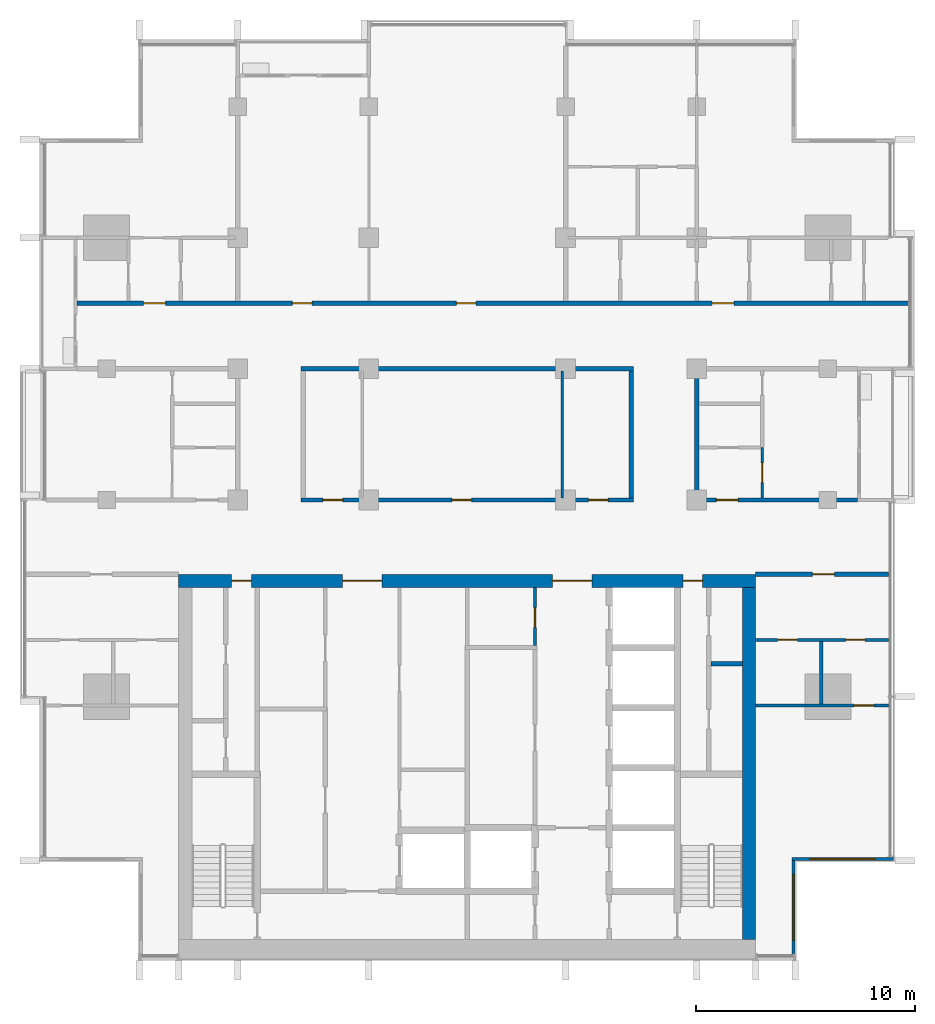
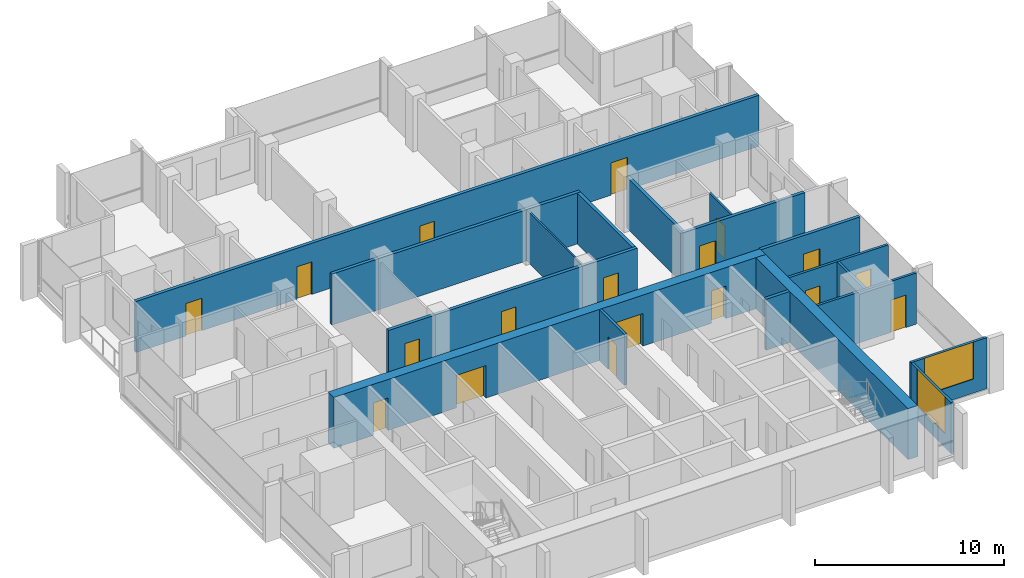
# One storey, part 9 of 16: 18 doors, 18 walls, 2 windows, 20 openings.
"""IFC4 building model written with IfcOpenShell, lengths in metres."""

from ifc_helpers import new_model, si_unit, direction, frame, frame_2d, origin, place, context, subcontext, project, spatial, rectangle, extrude, material, layer, layer_set, type_object, element, fill, save


model = new_model("IFC4")

# Units and contexts
model_context = context("Model", 3, precision=1e-05, world=origin(), true_north=direction((0.0, 1.0)))
body_context = subcontext(model_context, "Body", "Model", "MODEL_VIEW")
ifc_project = project(units=[si_unit("LENGTHUNIT", "METRE"), si_unit("AREAUNIT", "SQUARE_METRE"), si_unit("VOLUMEUNIT", "CUBIC_METRE"), si_unit("PLANEANGLEUNIT", "RADIAN"), si_unit("MASSUNIT", "GRAM", prefix="KILO")], contexts=[model_context])

# Site, building, storey
site_placement = place(None, origin())
site = spatial("IfcSite", under=ifc_project, at=site_placement, CompositionType="ELEMENT")
building_placement = place(site_placement, origin())
building = spatial("IfcBuilding", under=site, at=building_placement, Name="Finial Court Residences", CompositionType="ELEMENT")
storey_placement = place(building_placement, frame((0.0, 0.0, 208.699951171875)))
storey = spatial("IfcBuildingStorey", under=building, at=storey_placement, Name="L52", CompositionType="ELEMENT", Elevation=208.699951171875)

# Wall, openings, doors
ifc_material_1 = material(Name="Concrete C60/75", Category="concrete")
ifc_layer_1 = layer(ifc_material_1, 0.60009765625)
ifc_layer_set_1 = layer_set([ifc_layer_1], Name="Core outer wall 600 Concrete C60/75")
wall_type_1 = type_object("IfcWallType", Name="Core outer wall 600 Concrete C60/75", PredefinedType="SHEAR", material=ifc_layer_set_1)
wall_1_placement = place(storey_placement, frame((-13.199951171875, -8.199951171875, 0.0), z_axis=(0.0, 0.0, 1.0), x_axis=(1.0, 0.0, 0.0)))
wall_1 = element("IfcWall", 1, at=wall_1_placement, inside=storey, type_object=wall_type_1, Name="Core outer wall L52-02", PredefinedType="SHEAR", context=body_context, shape_type="SweptSolid", body=[
    extrude(rectangle(XDim=26.39990234375, YDim=0.60009765625, at=frame_2d((13.199951171875, 0.0))), origin(), (0.0, 0.0, 1.0), 3.300048828125),
])
opening_1_placement = place(wall_1_placement, frame((7.5, 0.0, 0.0)))
opening_1 = element("IfcOpeningElement", 2, at=opening_1_placement, cuts=wall_1, Name="Opening L52-C04", PredefinedType="OPENING", context=body_context, shape_type="SweptSolid", body=[
    extrude(rectangle(XDim=1.800048828125, YDim=2.10009765625, at=frame_2d((0.89990234375, 1.050048828125))), frame((0.0, 0.31005859375, 0.0), z_axis=(0.0, -1.0, 0.0), x_axis=(1.0, 0.0, 0.0)), (0.0, 0.0, 1.0), 0.6201171875),
])
opening_2_placement = place(wall_1_placement, frame((17.10009765625, 0.0, 0.0)))
opening_2 = element("IfcOpeningElement", 3, at=opening_2_placement, cuts=wall_1, Name="Opening L52-C05", PredefinedType="OPENING", context=body_context, shape_type="SweptSolid", body=[
    extrude(rectangle(XDim=1.800048828125, YDim=2.10009765625, at=frame_2d((0.89990234375, 1.050048828125))), frame((0.0, 0.31005859375, 0.0), z_axis=(0.0, -1.0, 0.0), x_axis=(1.0, 0.0, 0.0)), (0.0, 0.0, 1.0), 0.6201171875),
])
opening_3_placement = place(wall_1_placement, frame((2.425048828125, 0.0, 0.0)))
opening_3 = element("IfcOpeningElement", 4, at=opening_3_placement, cuts=wall_1, Name="Opening L52-C11", PredefinedType="OPENING", context=body_context, shape_type="SweptSolid", body=[
    extrude(rectangle(XDim=0.89990234375, YDim=2.10009765625, at=frame_2d((0.449951171875, 1.050048828125))), frame((0.0, 0.31005859375, 0.0), z_axis=(0.0, -1.0, 0.0), x_axis=(1.0, 0.0, 0.0)), (0.0, 0.0, 1.0), 0.6201171875),
])
opening_4_placement = place(wall_1_placement, frame((23.074951171875, 0.0, 0.0)))
opening_4 = element("IfcOpeningElement", 5, at=opening_4_placement, cuts=wall_1, Name="Opening L52-C12", PredefinedType="OPENING", context=body_context, shape_type="SweptSolid", body=[
    extrude(rectangle(XDim=0.89990234375, YDim=2.10009765625, at=frame_2d((0.449951171875, 1.050048828125))), frame((0.0, 0.31005859375, 0.0), z_axis=(0.0, -1.0, 0.0), x_axis=(1.0, 0.0, 0.0)), (0.0, 0.0, 1.0), 0.6201171875),
])
ifc_material_2 = material(Name="Steel fire door", Category="steel")
door_type_1 = type_object("IfcDoorType", Name="Lift lobby door 1800 x 2100 EI 60", OperationType="DOUBLE_DOOR_SINGLE_SWING", PredefinedType="DOOR", material=ifc_material_2)
door_1_placement = place(opening_1_placement, origin())
door_1 = element("IfcDoor", 6, at=door_1_placement, inside=storey, type_object=door_type_1, Name="Lift lobby door L52-C04", OperationType="DOUBLE_DOOR_SINGLE_SWING", OverallHeight=2.10009765625, OverallWidth=1.800048828125, PredefinedType="DOOR", context=body_context, shape_type="SweptSolid", body=[
    extrude(rectangle(XDim=1.800048828125, YDim=2.10009765625, at=frame_2d((0.89990234375, 1.050048828125))), frame((0.0, 0.02490234375, 0.0), z_axis=(0.0, -1.0, 0.0), x_axis=(1.0, 0.0, 0.0)), (0.0, 0.0, 1.0), 0.050048828125),
])
fill(opening_1, door_1)
door_2_placement = place(opening_2_placement, origin())
door_2 = element("IfcDoor", 7, at=door_2_placement, inside=storey, type_object=door_type_1, Name="Lift lobby door L52-C05", OperationType="DOUBLE_DOOR_SINGLE_SWING", OverallHeight=2.10009765625, OverallWidth=1.800048828125, PredefinedType="DOOR", context=body_context, shape_type="SweptSolid", body=[
    extrude(rectangle(XDim=1.800048828125, YDim=2.10009765625, at=frame_2d((0.89990234375, 1.050048828125))), frame((0.0, 0.02490234375, 0.0), z_axis=(0.0, -1.0, 0.0), x_axis=(1.0, 0.0, 0.0)), (0.0, 0.0, 1.0), 0.050048828125),
])
fill(opening_2, door_2)
door_type_2 = type_object("IfcDoorType", Name="Riser room door 900 x 2100 EI 90", OperationType="NOTDEFINED", PredefinedType="DOOR", material=ifc_material_2)
door_3_placement = place(opening_3_placement, origin())
door_3 = element("IfcDoor", 8, at=door_3_placement, inside=storey, type_object=door_type_2, Name="Riser room door L52-C11", OperationType="SINGLE_SWING_RIGHT", OverallHeight=2.10009765625, OverallWidth=0.89990234375, PredefinedType="DOOR", context=body_context, shape_type="SweptSolid", body=[
    extrude(rectangle(XDim=0.89990234375, YDim=2.10009765625, at=frame_2d((0.449951171875, 1.050048828125))), frame((0.0, 0.02490234375, 0.0), z_axis=(0.0, -1.0, 0.0), x_axis=(1.0, 0.0, 0.0)), (0.0, 0.0, 1.0), 0.050048828125),
])
fill(opening_3, door_3)
door_4_placement = place(opening_4_placement, origin())
door_4 = element("IfcDoor", 9, at=door_4_placement, inside=storey, type_object=door_type_2, Name="Riser room door L52-C12", OperationType="SINGLE_SWING_LEFT", OverallHeight=2.10009765625, OverallWidth=0.89990234375, PredefinedType="DOOR", context=body_context, shape_type="SweptSolid", body=[
    extrude(rectangle(XDim=0.89990234375, YDim=2.10009765625, at=frame_2d((0.449951171875, 1.050048828125))), frame((0.0, 0.02490234375, 0.0), z_axis=(0.0, -1.0, 0.0), x_axis=(1.0, 0.0, 0.0)), (0.0, 0.0, 1.0), 0.050048828125),
])
fill(opening_4, door_4)

# Wall
wall_2_placement = place(storey_placement, frame((12.89990234375, -24.60009765625, 0.0), z_axis=(0.0, 0.0, 1.0), x_axis=(0.0, 1.0, 0.0)))
element("IfcWall", 10, at=wall_2_placement, inside=storey, type_object=wall_type_1, Name="Core outer wall L52-04", PredefinedType="SHEAR", context=body_context, shape_type="SweptSolid", body=[
    extrude(rectangle(XDim=16.10009765625, YDim=0.60009765625, at=frame_2d((8.050048828125, 0.0))), origin(), (0.0, 0.0, 1.0), 3.300048828125),
])

# Wall, opening, door
ifc_material_3 = material(Name="Fire-rated gypsum board partition")
ifc_layer_2 = layer(ifc_material_3, 0.14990234375)
ifc_layer_set_2 = layer_set([ifc_layer_2], Name="Core room partition 150 EI 60")
wall_type_2 = type_object("IfcWallType", Name="Core room partition 150 EI 60", PredefinedType="PARTITIONING", material=ifc_layer_set_2)
wall_3_placement = place(storey_placement, frame((3.10009765625, -11.14990234375, 0.0), z_axis=(0.0, 0.0, 1.0), x_axis=(0.0, 1.0, 0.0)))
wall_3 = element("IfcWall", 11, at=wall_3_placement, inside=storey, type_object=wall_type_2, Name="Core partition L52-35", PredefinedType="PARTITIONING", context=body_context, shape_type="SweptSolid", body=[
    extrude(rectangle(XDim=2.64990234375, YDim=0.14990234375, at=frame_2d((1.324951171875, 0.0))), origin(), (0.0, 0.0, 1.0), 3.300048828125),
])
opening_5_placement = place(wall_3_placement, frame((0.824951171875, 0.0, 0.0)))
opening_5 = element("IfcOpeningElement", 12, at=opening_5_placement, cuts=wall_3, Name="Opening L52-C18", PredefinedType="OPENING", context=body_context, shape_type="SweptSolid", body=[
    extrude(rectangle(XDim=0.89990234375, YDim=2.10009765625, at=frame_2d((0.449951171875, 1.050048828125))), frame((0.0, 0.0849609375, 0.0), z_axis=(0.0, -1.0, 0.0), x_axis=(1.0, 0.0, 0.0)), (0.0, 0.0, 1.0), 0.169921875),
])
door_type_3 = type_object("IfcDoorType", Name="Core room door 900 x 2100 EI 60", OperationType="NOTDEFINED", PredefinedType="DOOR", material=ifc_material_2)
door_5_placement = place(opening_5_placement, origin())
door_5 = element("IfcDoor", 13, at=door_5_placement, inside=storey, type_object=door_type_3, Name="Core room door L52-C18", OperationType="SINGLE_SWING_LEFT", OverallHeight=2.10009765625, OverallWidth=0.89990234375, PredefinedType="DOOR", context=body_context, shape_type="SweptSolid", body=[
    extrude(rectangle(XDim=0.89990234375, YDim=2.10009765625, at=frame_2d((0.449951171875, 1.050048828125))), frame((0.0, 0.02490234375, 0.0), z_axis=(0.0, -1.0, 0.0), x_axis=(1.0, 0.0, 0.0)), (0.0, 0.0, 1.0), 0.050048828125),
])
fill(opening_5, door_5)

ifc_material_4 = material(Name="Gypsum board")
ifc_layer_3 = layer(ifc_material_4, 0.02490234375)
ifc_material_5 = material(Name="Acoustic mineral wool in double frame")
ifc_layer_4 = layer(ifc_material_5, 0.14990234375)
ifc_layer_5 = layer(ifc_material_4, 0.02490234375)
ifc_layer_set_3 = layer_set([ifc_layer_3, ifc_layer_4, ifc_layer_5], Name="Corridor wall 200, 1 hour")
wall_type_3 = type_object("IfcWallType", Name="Corridor wall 200, 1 hour", PredefinedType="PARTITIONING", material=ifc_layer_set_3)
wall_4_placement = place(storey_placement, frame((13.199951171875, -7.89990234375, 0.0), z_axis=(0.0, 0.0, 1.0), x_axis=(1.0, 0.0, 0.0)))
wall_4 = element("IfcWall", 14, at=wall_4_placement, inside=storey, type_object=wall_type_3, Name="Partition L52-005", PredefinedType="PARTITIONING", context=body_context, shape_type="SweptSolid", body=[
    extrude(rectangle(XDim=6.0625, YDim=0.199951171875, at=frame_2d((3.03125, 0.0))), origin(), (0.0, 0.0, 1.0), 3.300048828125),
])
opening_6_placement = place(wall_4_placement, frame((2.60009765625, 0.0, 0.0)))
opening_6 = element("IfcOpeningElement", 15, at=opening_6_placement, cuts=wall_4, Name="Opening L52-D008", PredefinedType="OPENING", context=body_context, shape_type="SweptSolid", body=[
    extrude(rectangle(XDim=1.0, YDim=2.10009765625, at=frame_2d((0.5, 1.050048828125))), frame((0.0, 0.10986328125, 0.0), z_axis=(0.0, -1.0, 0.0), x_axis=(1.0, 0.0, 0.0)), (0.0, 0.0, 1.0), 0.219970703125),
])
ifc_material_6 = material(Name="Timber door leaf in hollow metal frame", Category="wood")
door_type_4 = type_object("IfcDoorType", Name="Fire door set 1000 x 2100, 30 minutes", OperationType="SINGLE_SWING_LEFT", PredefinedType="DOOR", material=ifc_material_6)
door_6_placement = place(opening_6_placement, origin())
door_6 = element("IfcDoor", 16, at=door_6_placement, inside=storey, type_object=door_type_4, Name="Door L52-D008", OperationType="SINGLE_SWING_RIGHT", OverallHeight=2.10009765625, OverallWidth=1.0, PredefinedType="DOOR", context=body_context, shape_type="SweptSolid", body=[
    extrude(rectangle(XDim=1.0, YDim=2.10009765625, at=frame_2d((0.5, 1.050048828125))), frame((0.0, 0.02490234375, 0.0), z_axis=(0.0, -1.0, 0.0), x_axis=(1.0, 0.0, 0.0)), (0.0, 0.0, 1.0), 0.050048828125),
])
fill(opening_6, door_6)

# Wall, openings, doors
wall_5_placement = place(storey_placement, frame((-7.60009765625, -4.5, 0.0), z_axis=(0.0, 0.0, 1.0), x_axis=(1.0, 0.0, 0.0)))
wall_5 = element("IfcWall", 17, at=wall_5_placement, inside=storey, type_object=wall_type_3, Name="Partition L52-007", PredefinedType="PARTITIONING", context=body_context, shape_type="SweptSolid", body=[
    extrude(rectangle(XDim=15.2001953125, YDim=0.199951171875, at=frame_2d((7.60009765625, 0.0))), origin(), (0.0, 0.0, 1.0), 3.300048828125),
])
opening_7_placement = place(wall_5_placement, frame((1.0, 0.0, 0.0)))
opening_7 = element("IfcOpeningElement", 18, at=opening_7_placement, cuts=wall_5, Name="Opening L52-D010", PredefinedType="OPENING", context=body_context, shape_type="SweptSolid", body=[
    extrude(rectangle(XDim=0.89990234375, YDim=2.10009765625, at=frame_2d((0.449951171875, 1.050048828125))), frame((0.0, 0.10986328125, 0.0), z_axis=(0.0, -1.0, 0.0), x_axis=(1.0, 0.0, 0.0)), (0.0, 0.0, 1.0), 0.219970703125),
])
opening_8_placement = place(wall_5_placement, frame((6.89990234375, 0.0, 0.0)))
opening_8 = element("IfcOpeningElement", 19, at=opening_8_placement, cuts=wall_5, Name="Opening L52-D011", PredefinedType="OPENING", context=body_context, shape_type="SweptSolid", body=[
    extrude(rectangle(XDim=0.89990234375, YDim=2.10009765625, at=frame_2d((0.449951171875, 1.050048828125))), frame((0.0, 0.10986328125, 0.0), z_axis=(0.0, -1.0, 0.0), x_axis=(1.0, 0.0, 0.0)), (0.0, 0.0, 1.0), 0.219970703125),
])
opening_9_placement = place(wall_5_placement, frame((13.14990234375, 0.0, 0.0)))
opening_9 = element("IfcOpeningElement", 20, at=opening_9_placement, cuts=wall_5, Name="Opening L52-D012", PredefinedType="OPENING", context=body_context, shape_type="SweptSolid", body=[
    extrude(rectangle(XDim=0.89990234375, YDim=2.10009765625, at=frame_2d((0.449951171875, 1.050048828125))), frame((0.0, 0.10986328125, 0.0), z_axis=(0.0, -1.0, 0.0), x_axis=(1.0, 0.0, 0.0)), (0.0, 0.0, 1.0), 0.219970703125),
])
door_type_5 = type_object("IfcDoorType", Name="Fire door set 900 x 2100, 30 minutes", OperationType="SINGLE_SWING_LEFT", PredefinedType="DOOR", material=ifc_material_6)
door_7_placement = place(opening_7_placement, origin())
door_7 = element("IfcDoor", 21, at=door_7_placement, inside=storey, type_object=door_type_5, Name="Door L52-D010", OperationType="SINGLE_SWING_RIGHT", OverallHeight=2.10009765625, OverallWidth=0.89990234375, PredefinedType="DOOR", context=body_context, shape_type="SweptSolid", body=[
    extrude(rectangle(XDim=0.89990234375, YDim=2.10009765625, at=frame_2d((0.449951171875, 1.050048828125))), frame((0.0, 0.02490234375, 0.0), z_axis=(0.0, -1.0, 0.0), x_axis=(1.0, 0.0, 0.0)), (0.0, 0.0, 1.0), 0.050048828125),
])
fill(opening_7, door_7)
door_8_placement = place(opening_8_placement, origin())
door_8 = element("IfcDoor", 22, at=door_8_placement, inside=storey, type_object=door_type_5, Name="Door L52-D011", OperationType="SINGLE_SWING_RIGHT", OverallHeight=2.10009765625, OverallWidth=0.89990234375, PredefinedType="DOOR", context=body_context, shape_type="SweptSolid", body=[
    extrude(rectangle(XDim=0.89990234375, YDim=2.10009765625, at=frame_2d((0.449951171875, 1.050048828125))), frame((0.0, 0.02490234375, 0.0), z_axis=(0.0, -1.0, 0.0), x_axis=(1.0, 0.0, 0.0)), (0.0, 0.0, 1.0), 0.050048828125),
])
fill(opening_8, door_8)
door_9_placement = place(opening_9_placement, origin())
door_9 = element("IfcDoor", 23, at=door_9_placement, inside=storey, type_object=door_type_5, Name="Door L52-D012", OperationType="SINGLE_SWING_LEFT", OverallHeight=2.10009765625, OverallWidth=0.89990234375, PredefinedType="DOOR", context=body_context, shape_type="SweptSolid", body=[
    extrude(rectangle(XDim=0.89990234375, YDim=2.10009765625, at=frame_2d((0.449951171875, 1.050048828125))), frame((0.0, 0.02490234375, 0.0), z_axis=(0.0, -1.0, 0.0), x_axis=(1.0, 0.0, 0.0)), (0.0, 0.0, 1.0), 0.050048828125),
])
fill(opening_9, door_9)

# Wall, opening, door
wall_6_placement = place(storey_placement, frame((10.39990234375, -4.5, 0.0), z_axis=(0.0, 0.0, 1.0), x_axis=(1.0, 0.0, 0.0)))
wall_6 = element("IfcWall", 24, at=wall_6_placement, inside=storey, type_object=wall_type_3, Name="Partition L52-008", PredefinedType="PARTITIONING", context=body_context, shape_type="SweptSolid", body=[
    extrude(rectangle(XDim=7.4501953125, YDim=0.199951171875, at=frame_2d((3.72509765625, 0.0))), origin(), (0.0, 0.0, 1.0), 3.300048828125),
])
opening_10_placement = place(wall_6_placement, frame((1.0, 0.0, 0.0)))
opening_10 = element("IfcOpeningElement", 25, at=opening_10_placement, cuts=wall_6, Name="Opening L52-D013", PredefinedType="OPENING", context=body_context, shape_type="SweptSolid", body=[
    extrude(rectangle(XDim=1.0, YDim=2.10009765625, at=frame_2d((0.5, 1.050048828125))), frame((0.0, 0.10986328125, 0.0), z_axis=(0.0, -1.0, 0.0), x_axis=(1.0, 0.0, 0.0)), (0.0, 0.0, 1.0), 0.219970703125),
])
door_10_placement = place(opening_10_placement, origin())
door_10 = element("IfcDoor", 26, at=door_10_placement, inside=storey, type_object=door_type_4, Name="Door L52-D013", OperationType="SINGLE_SWING_RIGHT", OverallHeight=2.10009765625, OverallWidth=1.0, PredefinedType="DOOR", context=body_context, shape_type="SweptSolid", body=[
    extrude(rectangle(XDim=1.0, YDim=2.10009765625, at=frame_2d((0.5, 1.050048828125))), frame((0.0, 0.02490234375, 0.0), z_axis=(0.0, -1.0, 0.0), x_axis=(1.0, 0.0, 0.0)), (0.0, 0.0, 1.0), 0.050048828125),
])
fill(opening_10, door_10)

# Wall
wall_7_placement = place(storey_placement, frame((-7.60009765625, 1.5, 0.0), z_axis=(0.0, 0.0, 1.0), x_axis=(1.0, 0.0, 0.0)))
element("IfcWall", 27, at=wall_7_placement, inside=storey, type_object=wall_type_3, Name="Partition L52-014", PredefinedType="PARTITIONING", context=body_context, shape_type="SweptSolid", body=[
    extrude(rectangle(XDim=15.2001953125, YDim=0.199951171875, at=frame_2d((7.60009765625, 0.0))), origin(), (0.0, 0.0, 1.0), 3.300048828125),
])

# Wall, openings, doors
wall_8_placement = place(storey_placement, frame((-17.85009765625, 4.5, 0.0), z_axis=(0.0, 0.0, 1.0), x_axis=(1.0, 0.0, 0.0)))
wall_8 = element("IfcWall", 28, at=wall_8_placement, inside=storey, type_object=wall_type_3, Name="Partition L52-016", PredefinedType="PARTITIONING", context=body_context, shape_type="SweptSolid", body=[
    extrude(rectangle(XDim=38.10009765625, YDim=0.199951171875, at=frame_2d((19.050048828125, 0.0))), origin(), (0.0, 0.0, 1.0), 3.300048828125),
])
opening_11_placement = place(wall_8_placement, frame((3.050048828125, 0.0, 0.0)))
opening_11 = element("IfcOpeningElement", 29, at=opening_11_placement, cuts=wall_8, Name="Opening L52-D016", PredefinedType="OPENING", context=body_context, shape_type="SweptSolid", body=[
    extrude(rectangle(XDim=1.0, YDim=2.10009765625, at=frame_2d((0.5, 1.050048828125))), frame((0.0, 0.10986328125, 0.0), z_axis=(0.0, -1.0, 0.0), x_axis=(1.0, 0.0, 0.0)), (0.0, 0.0, 1.0), 0.219970703125),
])
opening_12_placement = place(wall_8_placement, frame((9.85009765625, 0.0, 0.0)))
opening_12 = element("IfcOpeningElement", 30, at=opening_12_placement, cuts=wall_8, Name="Opening L52-D017", PredefinedType="OPENING", context=body_context, shape_type="SweptSolid", body=[
    extrude(rectangle(XDim=0.89990234375, YDim=2.10009765625, at=frame_2d((0.449951171875, 1.050048828125))), frame((0.0, 0.10986328125, 0.0), z_axis=(0.0, -1.0, 0.0), x_axis=(1.0, 0.0, 0.0)), (0.0, 0.0, 1.0), 0.219970703125),
])
opening_13_placement = place(wall_8_placement, frame((17.35009765625, 0.0, 0.0)))
opening_13 = element("IfcOpeningElement", 31, at=opening_13_placement, cuts=wall_8, Name="Opening L52-D018", PredefinedType="OPENING", context=body_context, shape_type="SweptSolid", body=[
    extrude(rectangle(XDim=0.89990234375, YDim=2.10009765625, at=frame_2d((0.449951171875, 1.050048828125))), frame((0.0, 0.10986328125, 0.0), z_axis=(0.0, -1.0, 0.0), x_axis=(1.0, 0.0, 0.0)), (0.0, 0.0, 1.0), 0.219970703125),
])
opening_14_placement = place(wall_8_placement, frame((29.050048828125, 0.0, 0.0)))
opening_14 = element("IfcOpeningElement", 32, at=opening_14_placement, cuts=wall_8, Name="Opening L52-D019", PredefinedType="OPENING", context=body_context, shape_type="SweptSolid", body=[
    extrude(rectangle(XDim=1.0, YDim=2.10009765625, at=frame_2d((0.5, 1.050048828125))), frame((0.0, 0.10986328125, 0.0), z_axis=(0.0, -1.0, 0.0), x_axis=(1.0, 0.0, 0.0)), (0.0, 0.0, 1.0), 0.219970703125),
])
door_11_placement = place(opening_11_placement, origin())
door_11 = element("IfcDoor", 33, at=door_11_placement, inside=storey, type_object=door_type_4, Name="Door L52-D016", OperationType="SINGLE_SWING_RIGHT", OverallHeight=2.10009765625, OverallWidth=1.0, PredefinedType="DOOR", context=body_context, shape_type="SweptSolid", body=[
    extrude(rectangle(XDim=1.0, YDim=2.10009765625, at=frame_2d((0.5, 1.050048828125))), frame((0.0, 0.02490234375, 0.0), z_axis=(0.0, -1.0, 0.0), x_axis=(1.0, 0.0, 0.0)), (0.0, 0.0, 1.0), 0.050048828125),
])
fill(opening_11, door_11)
door_12_placement = place(opening_14_placement, origin())
door_12 = element("IfcDoor", 34, at=door_12_placement, inside=storey, type_object=door_type_4, Name="Door L52-D019", OperationType="SINGLE_SWING_LEFT", OverallHeight=2.10009765625, OverallWidth=1.0, PredefinedType="DOOR", context=body_context, shape_type="SweptSolid", body=[
    extrude(rectangle(XDim=1.0, YDim=2.10009765625, at=frame_2d((0.5, 1.050048828125))), frame((0.0, 0.02490234375, 0.0), z_axis=(0.0, -1.0, 0.0), x_axis=(1.0, 0.0, 0.0)), (0.0, 0.0, 1.0), 0.050048828125),
])
fill(opening_14, door_12)
door_13_placement = place(opening_12_placement, origin())
door_13 = element("IfcDoor", 35, at=door_13_placement, inside=storey, type_object=door_type_5, Name="Door L52-D017", OperationType="SINGLE_SWING_RIGHT", OverallHeight=2.10009765625, OverallWidth=0.89990234375, PredefinedType="DOOR", context=body_context, shape_type="SweptSolid", body=[
    extrude(rectangle(XDim=0.89990234375, YDim=2.10009765625, at=frame_2d((0.449951171875, 1.050048828125))), frame((0.0, 0.02490234375, 0.0), z_axis=(0.0, -1.0, 0.0), x_axis=(1.0, 0.0, 0.0)), (0.0, 0.0, 1.0), 0.050048828125),
])
fill(opening_12, door_13)
door_14_placement = place(opening_13_placement, origin())
door_14 = element("IfcDoor", 36, at=door_14_placement, inside=storey, type_object=door_type_5, Name="Door L52-D018", OperationType="SINGLE_SWING_RIGHT", OverallHeight=2.10009765625, OverallWidth=0.89990234375, PredefinedType="DOOR", context=body_context, shape_type="SweptSolid", body=[
    extrude(rectangle(XDim=0.89990234375, YDim=2.10009765625, at=frame_2d((0.449951171875, 1.050048828125))), frame((0.0, 0.02490234375, 0.0), z_axis=(0.0, -1.0, 0.0), x_axis=(1.0, 0.0, 0.0)), (0.0, 0.0, 1.0), 0.050048828125),
])
fill(opening_13, door_14)

# Walls
for number, where, z_axis, x_axis, name in (
    (37, (7.5, -4.39990234375, 0.0), (0.0, 0.0, 1.0), (0.0, 1.0, 0.0), "Partition L52-039"),
    (38, (10.5, -4.39990234375, 0.0), (0.0, 0.0, 1.0), (0.0, 1.0, 0.0), "Partition L52-041"),
):
    element("IfcWall", number, at=place(storey_placement, frame(where, z_axis=z_axis, x_axis=x_axis)), inside=storey, type_object=wall_type_3, Name=name, PredefinedType="PARTITIONING", context=body_context, shape_type="SweptSolid", body=[
        extrude(rectangle(XDim=5.7998046875, YDim=0.199951171875, at=frame_2d((2.89990234375, 0.0))), origin(), (0.0, 0.0, 1.0), 3.300048828125),
    ])
ifc_layer_6 = layer(ifc_material_4, 0.012451171875)
ifc_material_7 = material(Name="Mineral wool in light-gauge frame")
ifc_layer_7 = layer(ifc_material_7, 0.074951171875)
ifc_layer_8 = layer(ifc_material_4, 0.012451171875)
ifc_layer_set_4 = layer_set([ifc_layer_6, ifc_layer_7, ifc_layer_8], Name="Gypsum board partition 100")
wall_type_4 = type_object("IfcWallType", Name="Gypsum board partition 100", PredefinedType="PARTITIONING", material=ifc_layer_set_4)
wall_9_placement = place(storey_placement, frame((4.35009765625, -4.39990234375, 0.0), z_axis=(0.0, 0.0, 1.0), x_axis=(0.0, 1.0, 0.0)))
element("IfcWall", 39, at=wall_9_placement, inside=storey, type_object=wall_type_4, Name="Partition L52-036", PredefinedType="PARTITIONING", context=body_context, shape_type="SweptSolid", body=[
    extrude(rectangle(XDim=5.7998046875, YDim=0.10009765625, at=frame_2d((2.89990234375, 0.0))), origin(), (0.0, 0.0, 1.0), 3.300048828125),
])

# Wall, opening, door
wall_10_placement = place(storey_placement, frame((13.5, -4.39990234375, 0.0), z_axis=(0.0, 0.0, 1.0), x_axis=(0.0, 1.0, 0.0)))
wall_10 = element("IfcWall", 40, at=wall_10_placement, inside=storey, type_object=wall_type_4, Name="Partition L52-046", PredefinedType="PARTITIONING", context=body_context, shape_type="SweptSolid", body=[
    extrude(rectangle(XDim=2.2998046875, YDim=0.10009765625, at=frame_2d((1.14990234375, 0.0))), origin(), (0.0, 0.0, 1.0), 3.300048828125),
])
opening_15_placement = place(wall_10_placement, frame((0.699951171875, 0.0, 0.0)))
opening_15 = element("IfcOpeningElement", 41, at=opening_15_placement, cuts=wall_10, Name="Opening L52-D032", PredefinedType="OPENING", context=body_context, shape_type="SweptSolid", body=[
    extrude(rectangle(XDim=0.89990234375, YDim=2.10009765625, at=frame_2d((0.449951171875, 1.050048828125))), frame((0.0, 0.06005859375, 0.0), z_axis=(0.0, -1.0, 0.0), x_axis=(1.0, 0.0, 0.0)), (0.0, 0.0, 1.0), 0.1201171875),
])
ifc_material_8 = material(Name="Timber door leaf in timber frame", Category="wood")
door_type_6 = type_object("IfcDoorType", Name="Door set 900 x 2100", OperationType="SINGLE_SWING_LEFT", PredefinedType="DOOR", material=ifc_material_8)
door_15_placement = place(opening_15_placement, origin())
door_15 = element("IfcDoor", 42, at=door_15_placement, inside=storey, type_object=door_type_6, Name="Door L52-D032", OperationType="SINGLE_SWING_RIGHT", OverallHeight=2.10009765625, OverallWidth=0.89990234375, PredefinedType="DOOR", context=body_context, shape_type="SweptSolid", body=[
    extrude(rectangle(XDim=0.89990234375, YDim=2.10009765625, at=frame_2d((0.449951171875, 1.050048828125))), frame((0.0, 0.02490234375, 0.0), z_axis=(0.0, -1.0, 0.0), x_axis=(1.0, 0.0, 0.0)), (0.0, 0.0, 1.0), 0.050048828125),
])
fill(opening_15, door_15)

ifc_material_9 = material(Name="Moisture-resistant gypsum board")
ifc_layer_9 = layer(ifc_material_9, 0.012451171875)
ifc_layer_10 = layer(ifc_material_7, 0.125)
ifc_layer_11 = layer(ifc_material_9, 0.012451171875)
ifc_layer_set_5 = layer_set([ifc_layer_9, ifc_layer_10, ifc_layer_11], Name="Gypsum board wet-area partition 150")
wall_type_5 = type_object("IfcWallType", Name="Gypsum board wet-area partition 150", PredefinedType="PARTITIONING", material=ifc_layer_set_5)
wall_11_placement = place(storey_placement, frame((13.199951171875, -13.89990234375, 0.0), z_axis=(0.0, 0.0, 1.0), x_axis=(1.0, 0.0, 0.0)))
wall_11 = element("IfcWall", 43, at=wall_11_placement, inside=storey, type_object=wall_type_5, Name="Partition L52-001", PredefinedType="PARTITIONING", context=body_context, shape_type="SweptSolid", body=[
    extrude(rectangle(XDim=6.0625, YDim=0.14990234375, at=frame_2d((3.03125, 0.0))), origin(), (0.0, 0.0, 1.0), 3.300048828125),
])
opening_16_placement = place(wall_11_placement, frame((4.5, 0.0, 0.0)))
opening_16 = element("IfcOpeningElement", 44, at=opening_16_placement, cuts=wall_11, Name="Opening L52-D002", PredefinedType="OPENING", context=body_context, shape_type="SweptSolid", body=[
    extrude(rectangle(XDim=0.89990234375, YDim=2.10009765625, at=frame_2d((0.449951171875, 1.050048828125))), frame((0.0, 0.0849609375, 0.0), z_axis=(0.0, -1.0, 0.0), x_axis=(1.0, 0.0, 0.0)), (0.0, 0.0, 1.0), 0.169921875),
])
door_16_placement = place(opening_16_placement, origin())
door_16 = element("IfcDoor", 45, at=door_16_placement, inside=storey, type_object=door_type_6, Name="Door L52-D002", OperationType="SINGLE_SWING_RIGHT", OverallHeight=2.10009765625, OverallWidth=0.89990234375, PredefinedType="DOOR", context=body_context, shape_type="SweptSolid", body=[
    extrude(rectangle(XDim=0.89990234375, YDim=2.10009765625, at=frame_2d((0.449951171875, 1.050048828125))), frame((0.0, 0.02490234375, 0.0), z_axis=(0.0, -1.0, 0.0), x_axis=(1.0, 0.0, 0.0)), (0.0, 0.0, 1.0), 0.050048828125),
])
fill(opening_16, door_16)

# Wall, openings, doors
wall_12_placement = place(storey_placement, frame((13.199951171875, -10.89990234375, 0.0), z_axis=(0.0, 0.0, 1.0), x_axis=(1.0, 0.0, 0.0)))
wall_12 = element("IfcWall", 46, at=wall_12_placement, inside=storey, type_object=wall_type_5, Name="Partition L52-003", PredefinedType="PARTITIONING", context=body_context, shape_type="SweptSolid", body=[
    extrude(rectangle(XDim=6.0625, YDim=0.14990234375, at=frame_2d((3.03125, 0.0))), origin(), (0.0, 0.0, 1.0), 3.300048828125),
])
opening_17_placement = place(wall_12_placement, frame((1.0, 0.0, 0.0)))
opening_17 = element("IfcOpeningElement", 47, at=opening_17_placement, cuts=wall_12, Name="Opening L52-D005", PredefinedType="OPENING", context=body_context, shape_type="SweptSolid", body=[
    extrude(rectangle(XDim=0.89990234375, YDim=2.10009765625, at=frame_2d((0.449951171875, 1.050048828125))), frame((0.0, 0.0849609375, 0.0), z_axis=(0.0, -1.0, 0.0), x_axis=(1.0, 0.0, 0.0)), (0.0, 0.0, 1.0), 0.169921875),
])
opening_18_placement = place(wall_12_placement, frame((4.10009765625, 0.0, 0.0)))
opening_18 = element("IfcOpeningElement", 48, at=opening_18_placement, cuts=wall_12, Name="Opening L52-D006", PredefinedType="OPENING", context=body_context, shape_type="SweptSolid", body=[
    extrude(rectangle(XDim=0.89990234375, YDim=2.10009765625, at=frame_2d((0.449951171875, 1.050048828125))), frame((0.0, 0.0849609375, 0.0), z_axis=(0.0, -1.0, 0.0), x_axis=(1.0, 0.0, 0.0)), (0.0, 0.0, 1.0), 0.169921875),
])
door_17_placement = place(opening_17_placement, origin())
door_17 = element("IfcDoor", 49, at=door_17_placement, inside=storey, type_object=door_type_6, Name="Door L52-D005", OperationType="SINGLE_SWING_LEFT", OverallHeight=2.10009765625, OverallWidth=0.89990234375, PredefinedType="DOOR", context=body_context, shape_type="SweptSolid", body=[
    extrude(rectangle(XDim=0.89990234375, YDim=2.10009765625, at=frame_2d((0.449951171875, 1.050048828125))), frame((0.0, 0.02490234375, 0.0), z_axis=(0.0, -1.0, 0.0), x_axis=(1.0, 0.0, 0.0)), (0.0, 0.0, 1.0), 0.050048828125),
])
fill(opening_17, door_17)
door_18_placement = place(opening_18_placement, origin())
door_18 = element("IfcDoor", 50, at=door_18_placement, inside=storey, type_object=door_type_6, Name="Door L52-D006", OperationType="SINGLE_SWING_RIGHT", OverallHeight=2.10009765625, OverallWidth=0.89990234375, PredefinedType="DOOR", context=body_context, shape_type="SweptSolid", body=[
    extrude(rectangle(XDim=0.89990234375, YDim=2.10009765625, at=frame_2d((0.449951171875, 1.050048828125))), frame((0.0, 0.02490234375, 0.0), z_axis=(0.0, -1.0, 0.0), x_axis=(1.0, 0.0, 0.0)), (0.0, 0.0, 1.0), 0.050048828125),
])
fill(opening_18, door_18)

# Wall
wall_13_placement = place(storey_placement, frame((16.199951171875, -13.824951171875, 0.0), z_axis=(0.0, 0.0, 1.0), x_axis=(0.0, 1.0, 0.0)))
element("IfcWall", 51, at=wall_13_placement, inside=storey, type_object=wall_type_5, Name="Partition L52-048", PredefinedType="PARTITIONING", context=body_context, shape_type="SweptSolid", body=[
    extrude(rectangle(XDim=2.849853515625, YDim=0.14990234375, at=frame_2d((1.4248046875, 0.0))), origin(), (0.0, 0.0, 1.0), 3.300048828125),
])

# Wall, opening, window
ifc_material_10 = material(Name="Natural limestone", Category="masonry")
ifc_layer_12 = layer(ifc_material_10, 0.14990234375)
ifc_layer_set_6 = layer_set([ifc_layer_12], Name="Limestone clad wall 150")
wall_type_6 = type_object("IfcWallType", Name="Limestone clad wall 150", PredefinedType="SOLIDWALL", material=ifc_layer_set_6)
wall_14_placement = place(storey_placement, frame((14.925048828125, -21.0, 0.0), z_axis=(0.0, 0.0, 1.0), x_axis=(0.0, -1.0, 0.0)))
wall_14 = element("IfcWall", 52, at=wall_14_placement, inside=storey, type_object=wall_type_6, Name="E-L52-NWE15", PredefinedType="SOLIDWALL", context=body_context, shape_type="SweptSolid", body=[
    extrude(rectangle(XDim=4.262451171875, YDim=0.14990234375, at=frame_2d((2.13134765625, 0.0))), origin(), (0.0, 0.0, 1.0), 3.300048828125),
])
opening_19_placement = place(wall_14_placement, frame((0.63134765625, 0.0, 0.89990234375)))
opening_19 = element("IfcOpeningElement", 53, at=opening_19_placement, cuts=wall_14, Name="Opening WE52-03", PredefinedType="OPENING", context=body_context, shape_type="SweptSolid", body=[
    extrude(rectangle(XDim=3.0, YDim=2.39990234375, at=frame_2d((1.5, 1.199951171875))), frame((0.0, 0.0849609375, 0.0), z_axis=(0.0, -1.0, 0.0), x_axis=(1.0, 0.0, 0.0)), (0.0, 0.0, 1.0), 0.169921875),
])
ifc_material_11 = material(Name="Clear low-e glass", Category="glass")
window_type = type_object("IfcWindowType", Name="Corner window 3000 x 2400", PartitioningType="SINGLE_PANEL", PredefinedType="WINDOW", material=ifc_material_11)
window_1_placement = place(opening_19_placement, origin())
window_1 = element("IfcWindow", 54, at=window_1_placement, inside=storey, type_object=window_type, Name="E-L52-NWE15-W1", OverallHeight=2.39990234375, OverallWidth=3.0, PartitioningType="SINGLE_PANEL", PredefinedType="WINDOW", context=body_context, shape_type="SweptSolid", body=[
    extrude(rectangle(XDim=3.0, YDim=2.39990234375, at=frame_2d((1.5, 1.199951171875))), frame((0.0, 0.030029296875, 0.0), z_axis=(0.0, -1.0, 0.0), x_axis=(1.0, 0.0, 0.0)), (0.0, 0.0, 1.0), 0.06005859375),
])
fill(opening_19, window_1)

wall_15_placement = place(storey_placement, frame((19.5, -20.925048828125, 0.0), z_axis=(0.0, 0.0, 1.0), x_axis=(-1.0, 0.0, 0.0)))
wall_15 = element("IfcWall", 55, at=wall_15_placement, inside=storey, type_object=wall_type_6, Name="E-L52-NWS16", PredefinedType="SOLIDWALL", context=body_context, shape_type="SweptSolid", body=[
    extrude(rectangle(XDim=4.64990234375, YDim=0.14990234375, at=frame_2d((2.324951171875, 0.0))), origin(), (0.0, 0.0, 1.0), 3.300048828125),
])
opening_20_placement = place(wall_15_placement, frame((0.824951171875, 0.0, 0.89990234375)))
opening_20 = element("IfcOpeningElement", 56, at=opening_20_placement, cuts=wall_15, Name="Opening WE52-04", PredefinedType="OPENING", context=body_context, shape_type="SweptSolid", body=[
    extrude(rectangle(XDim=3.0, YDim=2.39990234375, at=frame_2d((1.5, 1.199951171875))), frame((0.0, 0.0849609375, 0.0), z_axis=(0.0, -1.0, 0.0), x_axis=(1.0, 0.0, 0.0)), (0.0, 0.0, 1.0), 0.169921875),
])
window_2_placement = place(opening_20_placement, origin())
window_2 = element("IfcWindow", 57, at=window_2_placement, inside=storey, type_object=window_type, Name="E-L52-NWS16-W1", OverallHeight=2.39990234375, OverallWidth=3.0, PartitioningType="SINGLE_PANEL", PredefinedType="WINDOW", context=body_context, shape_type="SweptSolid", body=[
    extrude(rectangle(XDim=3.0, YDim=2.39990234375, at=frame_2d((1.5, 1.199951171875))), frame((0.0, 0.030029296875, 0.0), z_axis=(0.0, -1.0, 0.0), x_axis=(1.0, 0.0, 0.0)), (0.0, 0.0, 1.0), 0.06005859375),
])
fill(opening_20, window_2)

# Wall
ifc_layer_13 = layer(ifc_material_3, 0.199951171875)
ifc_layer_set_7 = layer_set([ifc_layer_13], Name="Riser room wall 200 EI 120")
wall_type_7 = type_object("IfcWallType", Name="Riser room wall 200 EI 120", PredefinedType="PARTITIONING", material=ifc_layer_set_7)
wall_16_placement = place(storey_placement, frame((11.14990234375, -12.0, 0.0), z_axis=(0.0, 0.0, 1.0), x_axis=(1.0, 0.0, 0.0)))
element("IfcWall", 58, at=wall_16_placement, inside=storey, type_object=wall_type_7, Name="Core partition L52-16", PredefinedType="PARTITIONING", context=body_context, shape_type="SweptSolid", body=[
    extrude(rectangle(XDim=1.4501953125, YDim=0.199951171875, at=frame_2d((0.72509765625, 0.0))), origin(), (0.0, 0.0, 1.0), 3.300048828125),
])

save(model, "model.ifc")
